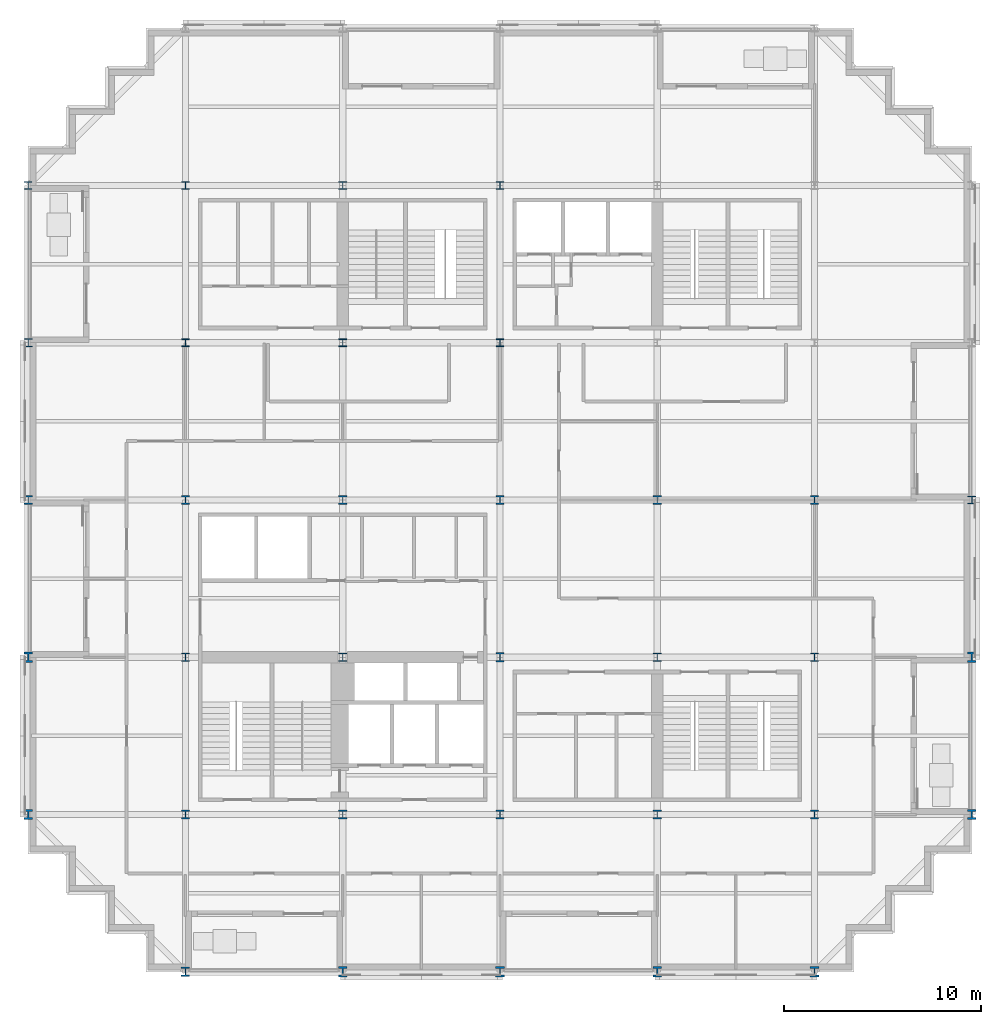
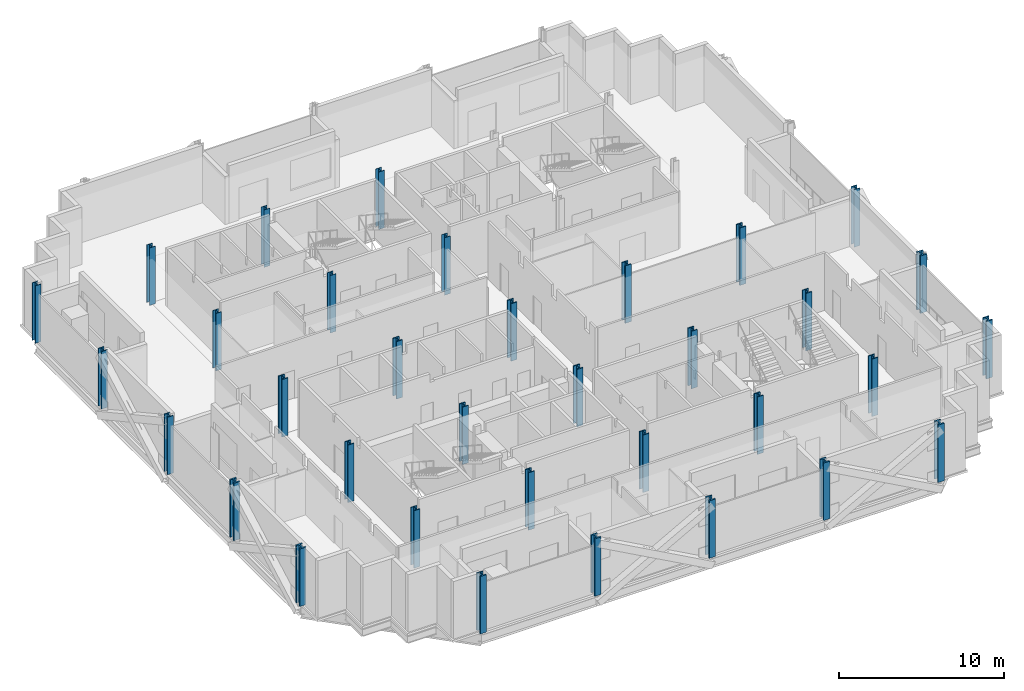
# One storey, part 1 of 13: 34 columns.
"""IFC4 building model written with IfcOpenShell, lengths in metres."""

from ifc_helpers import new_model, si_unit, direction, frame, origin, origin_2d, place, context, subcontext, project, spatial, i_section, extrude, material, material_profile, profile_set, type_object, element, save


model = new_model("IFC4")

# Units and contexts
model_context = context("Model", 3, precision=1e-05, world=origin(), true_north=direction((0.0, 1.0)))
body_context = subcontext(model_context, "Body", "Model", "MODEL_VIEW")
ifc_project = project(units=[si_unit("LENGTHUNIT", "METRE"), si_unit("AREAUNIT", "SQUARE_METRE"), si_unit("VOLUMEUNIT", "CUBIC_METRE"), si_unit("PLANEANGLEUNIT", "RADIAN"), si_unit("MASSUNIT", "GRAM", prefix="KILO")], contexts=[model_context])

# Site, building, storey
site_placement = place(None, origin())
site = spatial("IfcSite", under=ifc_project, at=site_placement, CompositionType="ELEMENT")
building_placement = place(site_placement, origin())
building = spatial("IfcBuilding", under=site, at=building_placement, Name="Immortelle Media Tower", CompositionType="ELEMENT")
storey_placement = place(building_placement, frame((0.0, 0.0, 56.800048828125)))
storey = spatial("IfcBuildingStorey", under=building, at=storey_placement, Name="L09", CompositionType="ELEMENT", Elevation=56.800048828125)

# Columns
ifc_material = material(Name="Steel ASTM A992 Gr 50", Category="steel")
ifc_material_profile_1 = material_profile(ifc_material, i_section(OverallWidth=0.39892578125, OverallDepth=0.385986328125, WebThickness=0.02099609375, FlangeThickness=0.032958984375, at=origin_2d()), Name="W14x176")
ifc_profile_set_1 = profile_set([ifc_material_profile_1], Name="Steel ASTM A992 Gr 50")
column_type_1 = type_object("IfcColumnType", Name="W14x176 column", PredefinedType="COLUMN", material=ifc_profile_set_1)
for number, where, z_axis, x_axis, name in (
    (1, (8.0, 32.0, 0.0), (0.0, 0.0, 1.0), (1.0, 0.0, 0.0), "Column 2/E"),
    (2, (8.0, 40.0, 0.0), (0.0, 0.0, 1.0), (1.0, 0.0, 0.0), "Column 2/F"),
    (3, (16.0, 32.0, 0.0), (0.0, 0.0, 1.0), (1.0, 0.0, 0.0), "Column 3/E"),
    (4, (16.0, 40.0, 0.0), (0.0, 0.0, 1.0), (1.0, 0.0, 0.0), "Column 3/F"),
):
    element("IfcColumn", number, at=place(storey_placement, frame(where, z_axis=z_axis, x_axis=x_axis)), inside=storey, type_object=column_type_1, Name=name, PredefinedType="COLUMN", context=body_context, shape_type="SweptSolid", body=[
        extrude(i_section(OverallWidth=0.39892578125, OverallDepth=0.385986328125, WebThickness=0.02099609375, FlangeThickness=0.032958984375, at=origin_2d()), origin(), (0.0, 0.0, 1.0), 4.25),
    ])
ifc_material_profile_2 = material_profile(ifc_material, i_section(OverallWidth=0.40087890625, OverallDepth=0.39892578125, WebThickness=0.02490234375, FlangeThickness=0.0400390625, at=origin_2d()), Name="W14x211")
ifc_profile_set_2 = profile_set([ifc_material_profile_2], Name="Steel ASTM A992 Gr 50")
column_type_2 = type_object("IfcColumnType", Name="W14x211 column", PredefinedType="COLUMN", material=ifc_profile_set_2)
for number, where, z_axis, x_axis, name in (
    (5, (24.0, 32.0, 0.0), (0.0, 0.0, 1.0), (1.0, 0.0, 0.0), "Column 4/E"),
    (6, (24.0, 40.0, 0.0), (0.0, 0.0, 1.0), (1.0, 0.0, 0.0), "Column 4/F"),
    (7, (48.0, 24.0, 0.0), (0.0, 0.0, 1.0), (1.0, 0.0, 0.0), "Column 7/D"),
):
    element("IfcColumn", number, at=place(storey_placement, frame(where, z_axis=z_axis, x_axis=x_axis)), inside=storey, type_object=column_type_2, Name=name, PredefinedType="COLUMN", context=body_context, shape_type="SweptSolid", body=[
        extrude(i_section(OverallWidth=0.40087890625, OverallDepth=0.39892578125, WebThickness=0.02490234375, FlangeThickness=0.0400390625, at=origin_2d()), origin(), (0.0, 0.0, 1.0), 4.25),
    ])
ifc_material_profile_3 = material_profile(ifc_material, i_section(OverallWidth=0.406005859375, OverallDepth=0.4169921875, WebThickness=0.030029296875, FlangeThickness=0.048095703125, at=origin_2d()), Name="W14x257")
ifc_profile_set_3 = profile_set([ifc_material_profile_3], Name="Steel ASTM A992 Gr 50")
column_type_3 = type_object("IfcColumnType", Name="W14x257 column", PredefinedType="COLUMN", material=ifc_profile_set_3)
column_placement = place(storey_placement, frame((0.0, 40.0, 0.0), z_axis=(0.0, 0.0, 1.0), x_axis=(1.0, 0.0, 0.0)))
element("IfcColumn", 8, at=column_placement, inside=storey, type_object=column_type_3, Name="Column 1/F", PredefinedType="COLUMN", context=body_context, shape_type="SweptSolid", body=[
    extrude(i_section(OverallWidth=0.406005859375, OverallDepth=0.4169921875, WebThickness=0.030029296875, FlangeThickness=0.048095703125, at=origin_2d()), origin(), (0.0, 0.0, 1.0), 4.25),
])
ifc_material_profile_4 = material_profile(ifc_material, i_section(OverallWidth=0.410888671875, OverallDepth=0.43408203125, WebThickness=0.035888671875, FlangeThickness=0.056884765625, at=origin_2d()), Name="W14x311")
ifc_profile_set_4 = profile_set([ifc_material_profile_4], Name="Steel ASTM A992 Gr 50")
column_type_4 = type_object("IfcColumnType", Name="W14x311 column", PredefinedType="COLUMN", material=ifc_profile_set_4)
for number, where, z_axis, x_axis, name in (
    (9, (0.0, 24.0, 0.0), (0.0, 0.0, 1.0), (1.0, 0.0, 0.0), "Column 1/D"),
    (10, (0.0, 32.0, 0.0), (0.0, 0.0, 1.0), (1.0, 0.0, 0.0), "Column 1/E"),
):
    element("IfcColumn", number, at=place(storey_placement, frame(where, z_axis=z_axis, x_axis=x_axis)), inside=storey, type_object=column_type_4, Name=name, PredefinedType="COLUMN", context=body_context, shape_type="SweptSolid", body=[
        extrude(i_section(OverallWidth=0.410888671875, OverallDepth=0.43408203125, WebThickness=0.035888671875, FlangeThickness=0.056884765625, at=origin_2d()), origin(), (0.0, 0.0, 1.0), 4.25),
    ])
ifc_material_profile_5 = material_profile(ifc_material, i_section(OverallWidth=0.4189453125, OverallDepth=0.455078125, WebThickness=0.0419921875, FlangeThickness=0.068115234375, at=origin_2d()), Name="W14x370")
ifc_profile_set_5 = profile_set([ifc_material_profile_5], Name="Steel ASTM A992 Gr 50")
column_type_5 = type_object("IfcColumnType", Name="W14x370 column", PredefinedType="COLUMN", material=ifc_profile_set_5)
for number, where, z_axis, x_axis, name in (
    (11, (8.0, 8.0, 0.0), (0.0, 0.0, 1.0), (1.0, 0.0, 0.0), "Column 2/B"),
    (12, (8.0, 16.0, 0.0), (0.0, 0.0, 1.0), (1.0, 0.0, 0.0), "Column 2/C"),
    (13, (16.0, 8.0, 0.0), (0.0, 0.0, 1.0), (1.0, 0.0, 0.0), "Column 3/B"),
    (14, (16.0, 16.0, 0.0), (0.0, 0.0, 1.0), (1.0, 0.0, 0.0), "Column 3/C"),
    (15, (32.0, 8.0, 0.0), (0.0, 0.0, 1.0), (1.0, 0.0, 0.0), "Column 5/B"),
    (16, (32.0, 16.0, 0.0), (0.0, 0.0, 1.0), (1.0, 0.0, 0.0), "Column 5/C"),
    (17, (40.0, 8.0, 0.0), (0.0, 0.0, 1.0), (1.0, 0.0, 0.0), "Column 6/B"),
    (18, (40.0, 16.0, 0.0), (0.0, 0.0, 1.0), (1.0, 0.0, 0.0), "Column 6/C"),
):
    element("IfcColumn", number, at=place(storey_placement, frame(where, z_axis=z_axis, x_axis=x_axis)), inside=storey, type_object=column_type_5, Name=name, PredefinedType="COLUMN", context=body_context, shape_type="SweptSolid", body=[
        extrude(i_section(OverallWidth=0.4189453125, OverallDepth=0.455078125, WebThickness=0.0419921875, FlangeThickness=0.068115234375, at=origin_2d()), origin(), (0.0, 0.0, 1.0), 4.25),
    ])
ifc_material_profile_6 = material_profile(ifc_material, i_section(OverallWidth=0.424072265625, OverallDepth=0.47509765625, WebThickness=0.048095703125, FlangeThickness=0.076904296875, at=origin_2d()), Name="W14x426")
ifc_profile_set_6 = profile_set([ifc_material_profile_6], Name="Steel ASTM A992 Gr 50")
column_type_6 = type_object("IfcColumnType", Name="W14x426 column", PredefinedType="COLUMN", material=ifc_profile_set_6)
for number, where, z_axis, x_axis, name in (
    (19, (8.0, 24.0, 0.0), (0.0, 0.0, 1.0), (1.0, 0.0, 0.0), "Column 2/D"),
    (20, (16.0, 24.0, 0.0), (0.0, 0.0, 1.0), (1.0, 0.0, 0.0), "Column 3/D"),
    (21, (24.0, 8.0, 0.0), (0.0, 0.0, 1.0), (1.0, 0.0, 0.0), "Column 4/B"),
    (22, (24.0, 16.0, 0.0), (0.0, 0.0, 1.0), (1.0, 0.0, 0.0), "Column 4/C"),
    (23, (24.0, 24.0, 0.0), (0.0, 0.0, 1.0), (1.0, 0.0, 0.0), "Column 4/D"),
    (24, (32.0, 24.0, 0.0), (0.0, 0.0, 1.0), (1.0, 0.0, 0.0), "Column 5/D"),
    (25, (40.0, 24.0, 0.0), (0.0, 0.0, 1.0), (1.0, 0.0, 0.0), "Column 6/D"),
):
    element("IfcColumn", number, at=place(storey_placement, frame(where, z_axis=z_axis, x_axis=x_axis)), inside=storey, type_object=column_type_6, Name=name, PredefinedType="COLUMN", context=body_context, shape_type="SweptSolid", body=[
        extrude(i_section(OverallWidth=0.424072265625, OverallDepth=0.47509765625, WebThickness=0.048095703125, FlangeThickness=0.076904296875, at=origin_2d()), origin(), (0.0, 0.0, 1.0), 4.25),
    ])
ifc_material_profile_7 = material_profile(ifc_material, i_section(OverallWidth=0.431884765625, OverallDepth=0.498046875, WebThickness=0.055908203125, FlangeThickness=0.089111328125, at=origin_2d()), Name="W14x500")
ifc_profile_set_7 = profile_set([ifc_material_profile_7], Name="Steel ASTM A992 Gr 50")
column_type_7 = type_object("IfcColumnType", Name="W14x500 column", PredefinedType="COLUMN", material=ifc_profile_set_7)
for number, where, z_axis, x_axis, name in (
    (26, (8.0, 0.0, 0.0), (0.0, 0.0, 1.0), (1.0, 0.0, 0.0), "Column 2/A"),
    (27, (48.0, 8.0, 0.0), (0.0, 0.0, 1.0), (1.0, 0.0, 0.0), "Column 7/B"),
):
    element("IfcColumn", number, at=place(storey_placement, frame(where, z_axis=z_axis, x_axis=x_axis)), inside=storey, type_object=column_type_7, Name=name, PredefinedType="COLUMN", context=body_context, shape_type="SweptSolid", body=[
        extrude(i_section(OverallWidth=0.431884765625, OverallDepth=0.498046875, WebThickness=0.055908203125, FlangeThickness=0.089111328125, at=origin_2d()), origin(), (0.0, 0.0, 1.0), 4.25),
    ])
ifc_material_profile_8 = material_profile(ifc_material, i_section(OverallWidth=0.44189453125, OverallDepth=0.531005859375, WebThickness=0.06591796875, FlangeThickness=0.10595703125, at=origin_2d()), Name="W14x605")
ifc_profile_set_8 = profile_set([ifc_material_profile_8], Name="Steel ASTM A992 Gr 50")
column_type_8 = type_object("IfcColumnType", Name="W14x605 column", PredefinedType="COLUMN", material=ifc_profile_set_8)
for number, where, z_axis, x_axis, name in (
    (28, (0.0, 8.0, 0.0), (0.0, 0.0, 1.0), (1.0, 0.0, 0.0), "Column 1/B"),
    (29, (0.0, 16.0, 0.0), (0.0, 0.0, 1.0), (1.0, 0.0, 0.0), "Column 1/C"),
    (30, (16.0, 0.0, 0.0), (0.0, 0.0, 1.0), (1.0, 0.0, 0.0), "Column 3/A"),
    (31, (24.0, 0.0, 0.0), (0.0, 0.0, 1.0), (1.0, 0.0, 0.0), "Column 4/A"),
    (32, (32.0, 0.0, 0.0), (0.0, 0.0, 1.0), (1.0, 0.0, 0.0), "Column 5/A"),
    (33, (40.0, 0.0, 0.0), (0.0, 0.0, 1.0), (1.0, 0.0, 0.0), "Column 6/A"),
    (34, (48.0, 16.0, 0.0), (0.0, 0.0, 1.0), (1.0, 0.0, 0.0), "Column 7/C"),
):
    element("IfcColumn", number, at=place(storey_placement, frame(where, z_axis=z_axis, x_axis=x_axis)), inside=storey, type_object=column_type_8, Name=name, PredefinedType="COLUMN", context=body_context, shape_type="SweptSolid", body=[
        extrude(i_section(OverallWidth=0.44189453125, OverallDepth=0.531005859375, WebThickness=0.06591796875, FlangeThickness=0.10595703125, at=origin_2d()), origin(), (0.0, 0.0, 1.0), 4.25),
    ])

save(model, "model.ifc")
